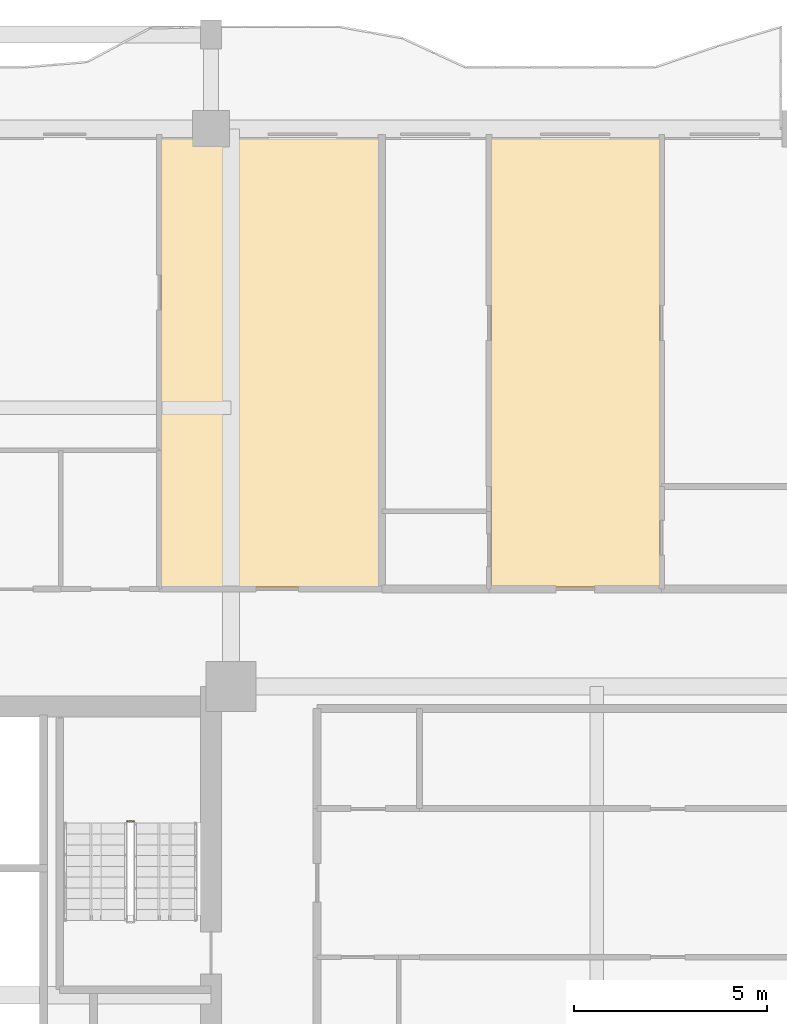
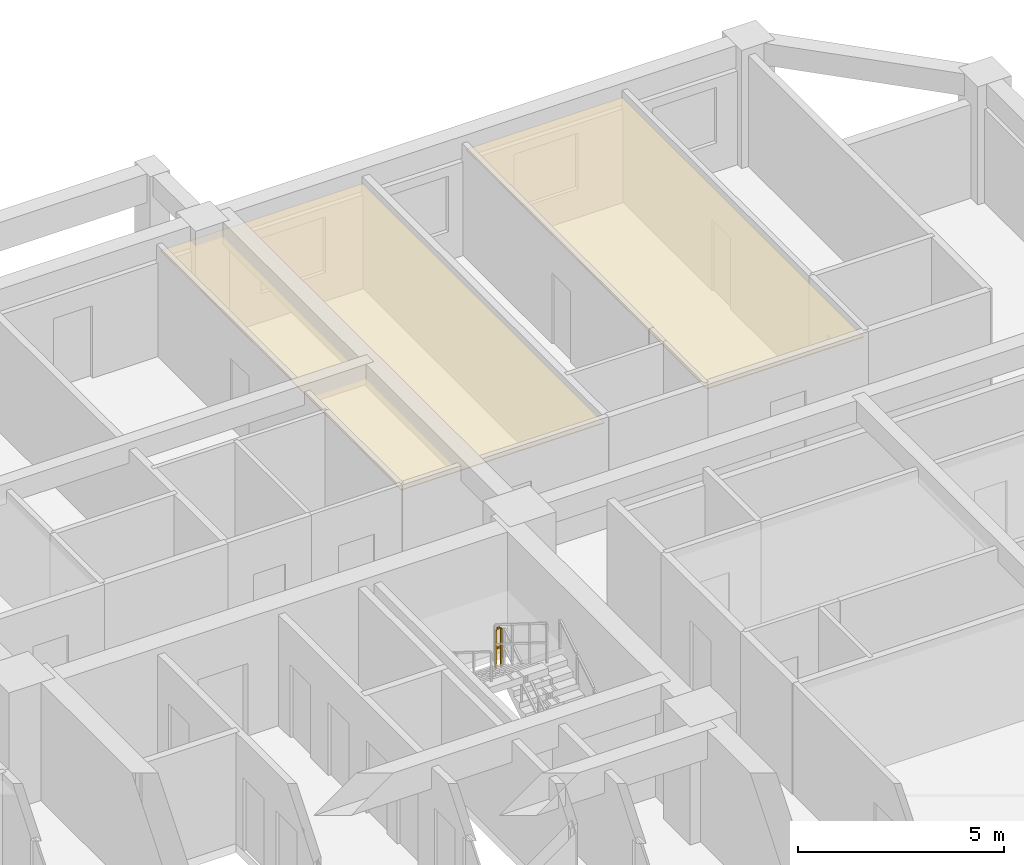
# One storey, part 17 of 17: 2 coverings, 1 railing.
"""IFC4 building model written with IfcOpenShell, lengths in metres."""

from ifc_helpers import new_model, si_unit, direction, frame, origin, origin_2d, place, context, subcontext, project, spatial, polyline, rectangle, outline, extrude, material, layer, layer_set, type_object, element, save


model = new_model("IFC4")

# Units and contexts
model_context = context("Model", 3, precision=1e-05, world=origin(), true_north=direction((0.0, 1.0)))
body_context = subcontext(model_context, "Body", "Model", "MODEL_VIEW")
ifc_project = project(units=[si_unit("LENGTHUNIT", "METRE"), si_unit("AREAUNIT", "SQUARE_METRE"), si_unit("VOLUMEUNIT", "CUBIC_METRE"), si_unit("PLANEANGLEUNIT", "RADIAN"), si_unit("MASSUNIT", "GRAM", prefix="KILO")], contexts=[model_context])

# Site, building, storey
site_placement = place(None, origin())
site = spatial("IfcSite", under=ifc_project, at=site_placement, CompositionType="ELEMENT")
building_placement = place(site_placement, origin())
building = spatial("IfcBuilding", under=site, at=building_placement, Name="Saelheon Loggia Tower", CompositionType="ELEMENT")
storey_placement = place(building_placement, frame((0.0, 0.0, 74.35009765625)))
storey = spatial("IfcBuildingStorey", under=building, at=storey_placement, Name="L23", CompositionType="ELEMENT", Elevation=74.35009765625)

# Coverings
ifc_material_1 = material(Name="Mineral-Fibre Acoustic Ceiling Board", Category="gypsum")
ifc_layer = layer(ifc_material_1, 0.02490234375)
ifc_layer_set = layer_set([ifc_layer], Name="Mineral-Fibre Acoustic Ceiling Board")
covering_type = type_object("IfcCoveringType", Name="Cov_Ceiling_Acoustic", PredefinedType="CEILING", material=ifc_layer_set)
covering_1_placement = place(storey_placement, frame((0.0, 0.0, 3.034912109375)))
element("IfcCovering", 1, at=covering_1_placement, inside=storey, type_object=covering_type, Name="L23 Acoustic Suspended Ceiling", PredefinedType="CEILING", context=body_context, shape_type="SweptSolid", body=[
    extrude(outline(polyline([(43.203125, 39.10009765625), (48.88671875, 39.10009765625), (48.88671875, 50.800048828125), (43.203125, 50.800048828125), (43.203125, 39.10009765625)])), origin(), (0.0, 0.0, 1.0), 0.02490234375),
])
covering_2_placement = place(storey_placement, frame((0.0, 0.0, 3.034912109375)))
element("IfcCovering", 2, at=covering_2_placement, inside=storey, type_object=covering_type, Name="L23 Acoustic Suspended Ceiling", PredefinedType="CEILING", context=body_context, shape_type="SweptSolid", body=[
    extrude(outline(polyline([(51.764404296875, 39.10009765625), (56.1513671875, 39.10009765625), (56.1513671875, 50.800048828125), (51.764404296875, 50.800048828125), (51.764404296875, 39.10009765625)])), origin(), (0.0, 0.0, 1.0), 0.02490234375),
])

# Railing
ifc_material_2 = material(Name="Galvanised Steel S275 Stairwell Guardrail", Category="steel")
railing_type = type_object("IfcRailingType", Name="Guard_StairWell_RL_STG", PredefinedType="GUARDRAIL", material=ifc_material_2)
railing_placement = place(storey_placement, frame((42.489990234375, 33.02001953125, 1.75)))
element("IfcRailing", 3, at=railing_placement, inside=storey, type_object=railing_type, Name="L23 ST2 stair guard 2", PredefinedType="GUARDRAIL", context=body_context, shape_type="SweptSolid", body=[
    extrude(rectangle(XDim=0.048095703125, YDim=0.048095703125, at=origin_2d()), frame((-0.033203125, 0.0, 1.17578125), z_axis=(-1.0, 0.0, 0.0), x_axis=(0.0, -1.0, 0.0)), (0.0, 0.0, 1.0), 0.093505859375),
    extrude(rectangle(XDim=0.048095703125, YDim=0.048095703125, at=origin_2d()), frame((-0.033203125, 0.0, 0.60009765625), z_axis=(-1.0, 0.0, 0.0), x_axis=(0.0, -1.0, 0.0)), (0.0, 0.0, 1.0), 0.093505859375),
    extrude(rectangle(XDim=0.0419921875, YDim=0.0419921875, at=origin_2d()), origin(), (0.0, 0.0, 1.0), 1.14794921875),
    extrude(rectangle(XDim=0.0419921875, YDim=0.0419921875, at=origin_2d()), frame((-0.159912109375, 0.0, 0.0)), (0.0, 0.0, 1.0), 1.14794921875),
])

save(model, "model.ifc")
